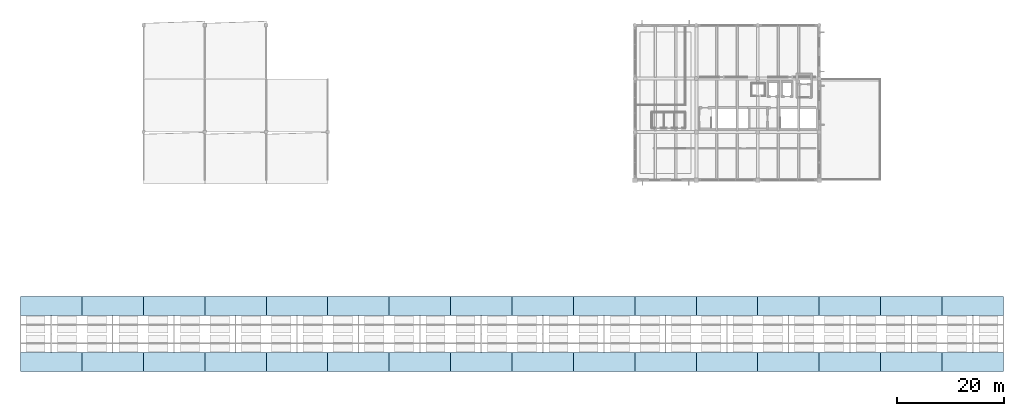
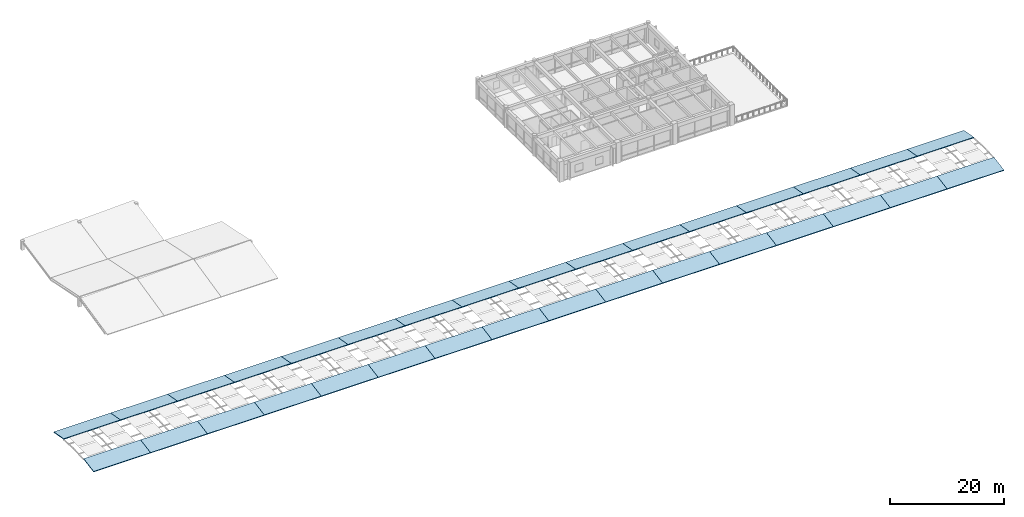
# One storey, part 25 of 27: 32 roofs.
"""IFC4 building model written with IfcOpenShell, lengths in metres."""

from ifc_helpers import new_model, si_unit, direction, frame, origin, place, context, subcontext, project, spatial, polyline, outline, extrude, material, layer, layer_set, type_object, element, save


model = new_model("IFC4")

# Units and contexts
model_context = context("Model", 3, precision=1e-05, world=origin(), true_north=direction((0.0, 1.0)))
body_context = subcontext(model_context, "Body", "Model", "MODEL_VIEW")
ifc_project = project(units=[si_unit("LENGTHUNIT", "METRE"), si_unit("AREAUNIT", "SQUARE_METRE"), si_unit("VOLUMEUNIT", "CUBIC_METRE"), si_unit("PLANEANGLEUNIT", "RADIAN"), si_unit("MASSUNIT", "GRAM", prefix="KILO")], contexts=[model_context])

# Site, building, storey
site_placement = place(None, origin())
site = spatial("IfcSite", under=ifc_project, at=site_placement, CompositionType="ELEMENT")
building_placement = place(site_placement, origin())
building = spatial("IfcBuilding", under=site, at=building_placement, Name="Ologun Quay Terminus", CompositionType="ELEMENT")
storey_placement = place(building_placement, frame((0.0, 0.0, 22.4599609375)))
storey = spatial("IfcBuildingStorey", under=building, at=storey_placement, Name="L05", CompositionType="ELEMENT", Elevation=22.4599609375)

# Roofs
ifc_material = material(Name="Steel S355", Category="steel")
ifc_layer = layer(ifc_material, 0.159912109375)
ifc_layer_set = layer_set([ifc_layer], Name="Steel S355")
roof_type = type_object("IfcRoofType", Name="Train Shed Barrel Vault Assembly", PredefinedType="BARREL_ROOF", material=ifc_layer_set)
for number, where, z_axis, x_axis, name in (
    (1, (0.0, 50.0, -0.14404296875), (0.0, -0.176256402859, 0.984344289591), (1.0, 0.0, 0.0), "RF-SHD Train Shed Vault Panel B1-P5"),
    (2, (0.0, 60.5, 0.482666015625), (0.0, 0.176256402859, 0.984344289591), (1.0, 0.0, 0.0), "RF-SHD Train Shed Vault Panel B1-P8"),
    (3, (11.5, 50.0, -0.14404296875), (0.0, -0.176256402859, 0.984344289591), (1.0, 0.0, 0.0), "RF-SHD Train Shed Vault Panel B2-P5"),
    (4, (11.5, 60.5, 0.482666015625), (0.0, 0.176256402859, 0.984344289591), (1.0, 0.0, 0.0), "RF-SHD Train Shed Vault Panel B2-P8"),
    (5, (23.0, 50.0, -0.14404296875), (0.0, -0.176256402859, 0.984344289591), (1.0, 0.0, 0.0), "RF-SHD Train Shed Vault Panel B3-P5"),
    (6, (23.0, 60.5, 0.482666015625), (0.0, 0.176256402859, 0.984344289591), (1.0, 0.0, 0.0), "RF-SHD Train Shed Vault Panel B3-P8"),
    (7, (34.5, 50.0, -0.14404296875), (0.0, -0.176256402859, 0.984344289591), (1.0, 0.0, 0.0), "RF-SHD Train Shed Vault Panel B4-P5"),
    (8, (34.5, 60.5, 0.482666015625), (0.0, 0.176256402859, 0.984344289591), (1.0, 0.0, 0.0), "RF-SHD Train Shed Vault Panel B4-P8"),
    (9, (46.0, 50.0, -0.14404296875), (0.0, -0.176256402859, 0.984344289591), (1.0, 0.0, 0.0), "RF-SHD Train Shed Vault Panel B5-P5"),
    (10, (46.0, 60.5, 0.482666015625), (0.0, 0.176256402859, 0.984344289591), (1.0, 0.0, 0.0), "RF-SHD Train Shed Vault Panel B5-P8"),
    (11, (57.5, 50.0, -0.14404296875), (0.0, -0.176256402859, 0.984344289591), (1.0, 0.0, 0.0), "RF-SHD Train Shed Vault Panel B6-P5"),
    (12, (57.5, 60.5, 0.482666015625), (0.0, 0.176256402859, 0.984344289591), (1.0, 0.0, 0.0), "RF-SHD Train Shed Vault Panel B6-P8"),
    (13, (69.0, 50.0, -0.14404296875), (0.0, -0.176256402859, 0.984344289591), (1.0, 0.0, 0.0), "RF-SHD Train Shed Vault Panel B7-P5"),
    (14, (69.0, 60.5, 0.482666015625), (0.0, 0.176256402859, 0.984344289591), (1.0, 0.0, 0.0), "RF-SHD Train Shed Vault Panel B7-P8"),
    (15, (80.5, 50.0, -0.14404296875), (0.0, -0.176256402859, 0.984344289591), (1.0, 0.0, 0.0), "RF-SHD Train Shed Vault Panel B8-P5"),
    (16, (80.5, 60.5, 0.482666015625), (0.0, 0.176256402859, 0.984344289591), (1.0, 0.0, 0.0), "RF-SHD Train Shed Vault Panel B8-P8"),
    (17, (92.0, 50.0, -0.14404296875), (0.0, -0.176256402859, 0.984344289591), (1.0, 0.0, 0.0), "RF-SHD Train Shed Vault Panel B9-P5"),
    (18, (92.0, 60.5, 0.482666015625), (0.0, 0.176256402859, 0.984344289591), (1.0, 0.0, 0.0), "RF-SHD Train Shed Vault Panel B9-P8"),
    (19, (103.5, 50.0, -0.14404296875), (0.0, -0.176256402859, 0.984344289591), (1.0, 0.0, 0.0), "RF-SHD Train Shed Vault Panel B10-P5"),
    (20, (103.5, 60.5, 0.482666015625), (0.0, 0.176256402859, 0.984344289591), (1.0, 0.0, 0.0), "RF-SHD Train Shed Vault Panel B10-P8"),
    (21, (115.0, 50.0, -0.14404296875), (0.0, -0.176256402859, 0.984344289591), (1.0, 0.0, 0.0), "RF-SHD Train Shed Vault Panel B11-P5"),
    (22, (115.0, 60.5, 0.482666015625), (0.0, 0.176256402859, 0.984344289591), (1.0, 0.0, 0.0), "RF-SHD Train Shed Vault Panel B11-P8"),
    (23, (126.5, 50.0, -0.14404296875), (0.0, -0.176256402859, 0.984344289591), (1.0, 0.0, 0.0), "RF-SHD Train Shed Vault Panel B12-P5"),
    (24, (126.5, 60.5, 0.482666015625), (0.0, 0.176256402859, 0.984344289591), (1.0, 0.0, 0.0), "RF-SHD Train Shed Vault Panel B12-P8"),
    (25, (138.0, 50.0, -0.14404296875), (0.0, -0.176256402859, 0.984344289591), (1.0, 0.0, 0.0), "RF-SHD Train Shed Vault Panel B13-P5"),
    (26, (138.0, 60.5, 0.482666015625), (0.0, 0.176256402859, 0.984344289591), (1.0, 0.0, 0.0), "RF-SHD Train Shed Vault Panel B13-P8"),
    (27, (149.5, 50.0, -0.14404296875), (0.0, -0.176256402859, 0.984344289591), (1.0, 0.0, 0.0), "RF-SHD Train Shed Vault Panel B14-P5"),
    (28, (149.5, 60.5, 0.482666015625), (0.0, 0.176256402859, 0.984344289591), (1.0, 0.0, 0.0), "RF-SHD Train Shed Vault Panel B14-P8"),
    (29, (161.0, 50.0, -0.14404296875), (0.0, -0.176256402859, 0.984344289591), (1.0, 0.0, 0.0), "RF-SHD Train Shed Vault Panel B15-P5"),
    (30, (161.0, 60.5, 0.482666015625), (0.0, 0.176256402859, 0.984344289591), (1.0, 0.0, 0.0), "RF-SHD Train Shed Vault Panel B15-P8"),
    (31, (172.5, 50.0, -0.14404296875), (0.0, -0.176256402859, 0.984344289591), (1.0, 0.0, 0.0), "RF-SHD Train Shed Vault Panel B16-P5"),
    (32, (172.5, 60.5, 0.482666015625), (0.0, 0.176256402859, 0.984344289591), (1.0, 0.0, 0.0), "RF-SHD Train Shed Vault Panel B16-P8"),
):
    element("IfcRoof", number, at=place(storey_placement, frame(where, z_axis=z_axis, x_axis=x_axis)), inside=storey, type_object=roof_type, Name=name, PredefinedType="BARREL_ROOF", context=body_context, shape_type="SweptSolid", body=[
        extrude(outline(polyline([(0.0, 0.0), (11.5, 0.0), (11.5, 3.555666484795269), (0.0, 3.555666484795269), (0.0, 0.0)])), origin(), (0.0, 0.0, -1.0), 0.159912109375),
    ])

save(model, "model.ifc")
